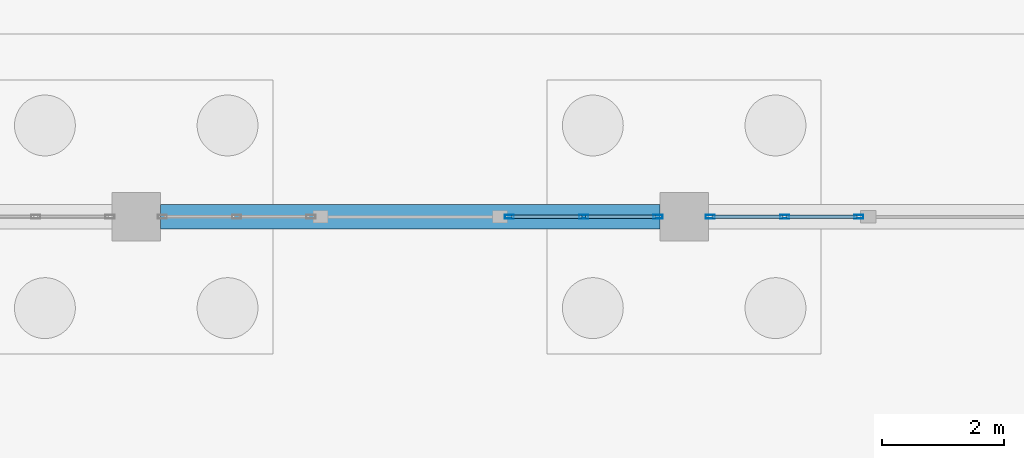
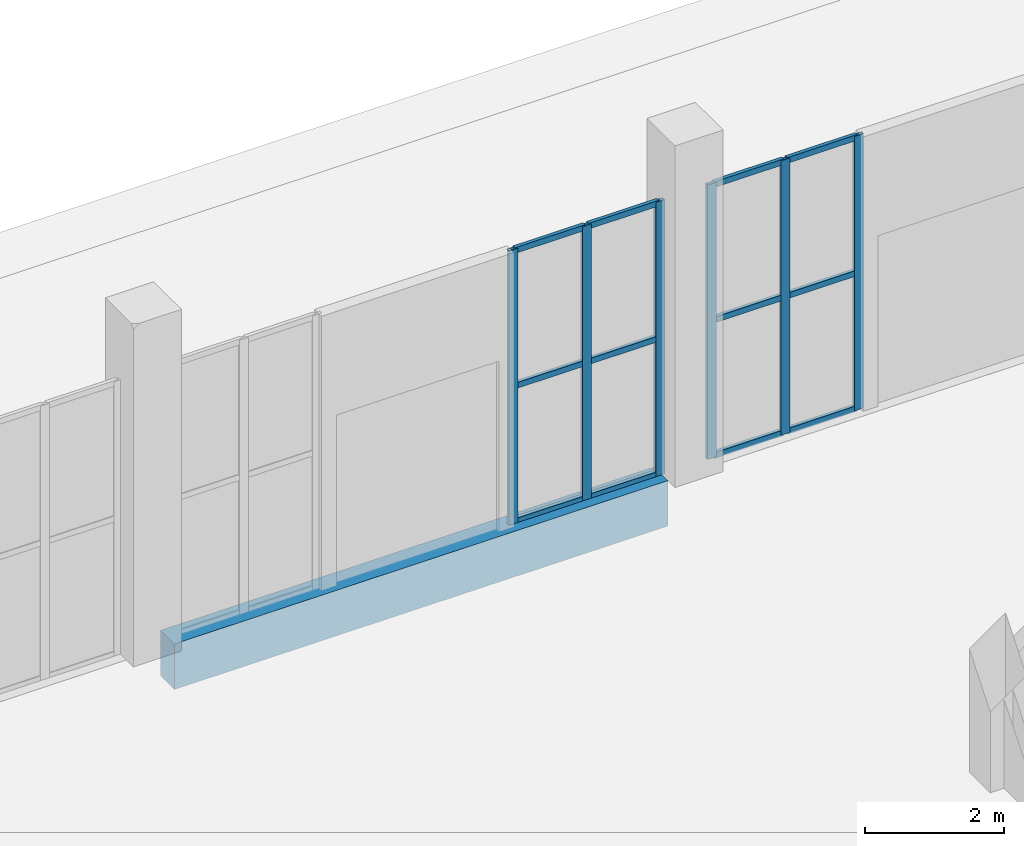
# One storey, part 42 of 198: 18 members, 1 beam, 2 elements without a shape of their own.
"""IFC4 building model written with IfcOpenShell, lengths in metres."""

from ifc_helpers import new_model, si_unit, direction, frame, origin, origin_2d, place, context, subcontext, project, spatial, rectangle, hollow_rectangle, extrude, material, layer, layer_set, material_profile, profile_set, type_object, element, aggregate, save


model = new_model("IFC4")

# Units and contexts
model_context = context("Model", 3, precision=1e-05, world=origin(), true_north=direction((0.0, 1.0)))
body_context = subcontext(model_context, "Body", "Model", "MODEL_VIEW")
ifc_project = project(units=[si_unit("LENGTHUNIT", "METRE"), si_unit("AREAUNIT", "SQUARE_METRE"), si_unit("VOLUMEUNIT", "CUBIC_METRE"), si_unit("PLANEANGLEUNIT", "RADIAN"), si_unit("MASSUNIT", "GRAM", prefix="KILO")], contexts=[model_context])

# Site, building, storey
site_placement = place(None, origin())
site = spatial("IfcSite", under=ifc_project, at=site_placement, CompositionType="ELEMENT")
building_placement = place(site_placement, origin())
building = spatial("IfcBuilding", under=site, at=building_placement, Name="Opaline Strait Convention Centre", CompositionType="ELEMENT")
storey_placement = place(building_placement, origin())
storey = spatial("IfcBuildingStorey", under=building, at=storey_placement, Name="L00", CompositionType="ELEMENT", Elevation=0.0)

# Curtain wall, members
ifc_material_1 = material(Name="Aluminium framed double glazing", Category="aluminium")
ifc_layer = layer(ifc_material_1, 0.199951171875)
ifc_layer_set = layer_set([ifc_layer], Name="Aluminium framed double glazing")
curtain_wall_type = type_object("IfcCurtainWallType", Name="Curtain wall 1250", PredefinedType="NOTDEFINED", material=ifc_layer_set)
curtain_wall_1_placement = place(storey_placement, origin())
curtain_wall_1 = element("IfcCurtainWall", 1, at=curtain_wall_1_placement, inside=storey, type_object=curtain_wall_type, Name="Curtain wall N-45b-L00", PredefinedType="NOTDEFINED")
ifc_material_2 = material(Name="Aluminium alloy 6063", Category="aluminium")
ifc_material_profile_1 = material_profile(ifc_material_2, hollow_rectangle(XDim=0.06005859375, YDim=0.14990234375, WallThickness=0.00390625, at=origin_2d()), Name="MULLION 60x150x4")
ifc_profile_set_1 = profile_set([ifc_material_profile_1], Name="Aluminium alloy 6063")
member_type_1 = type_object("IfcMemberType", Name="Curtain wall mullion 60 x 150", PredefinedType="MULLION", material=ifc_profile_set_1)
member_1_placement = place(storey_placement, frame((51.130126953125, 180.0, 0.0), z_axis=(0.0, 0.0, 1.0), x_axis=(0.0, 1.0, 0.0)))
member_1 = element("IfcMember", 2, at=member_1_placement, type_object=member_type_1, Name="PCW mullion 1", PredefinedType="MULLION", context=body_context, shape_type="SweptSolid", body=[
    extrude(hollow_rectangle(XDim=0.06005859375, YDim=0.14990234375, WallThickness=0.00390625, at=origin_2d()), origin(), (0.0, 0.0, 1.0), 4.820068359375),
])
member_2_placement = place(storey_placement, frame((52.35009765625, 180.0, 0.0), z_axis=(0.0, 0.0, 1.0), x_axis=(0.0, 1.0, 0.0)))
member_2 = element("IfcMember", 3, at=member_2_placement, type_object=member_type_1, Name="PCW mullion 2", PredefinedType="MULLION", context=body_context, shape_type="SweptSolid", body=[
    extrude(hollow_rectangle(XDim=0.06005859375, YDim=0.14990234375, WallThickness=0.00390625, at=origin_2d()), origin(), (0.0, 0.0, 1.0), 4.820068359375),
])
member_3_placement = place(storey_placement, frame((53.570068359375, 180.0, 0.0), z_axis=(0.0, 0.0, 1.0), x_axis=(0.0, 1.0, 0.0)))
member_3 = element("IfcMember", 4, at=member_3_placement, type_object=member_type_1, Name="PCW mullion 3", PredefinedType="MULLION", context=body_context, shape_type="SweptSolid", body=[
    extrude(hollow_rectangle(XDim=0.06005859375, YDim=0.14990234375, WallThickness=0.00390625, at=origin_2d()), origin(), (0.0, 0.0, 1.0), 4.820068359375),
])

curtain_wall_2_placement = place(storey_placement, origin())
curtain_wall_2 = element("IfcCurtainWall", 5, at=curtain_wall_2_placement, inside=storey, type_object=curtain_wall_type, Name="Curtain wall N-54a-L00", PredefinedType="NOTDEFINED")
member_4_placement = place(storey_placement, frame((54.429931640625, 180.0, 0.0), z_axis=(0.0, 0.0, 1.0), x_axis=(0.0, 1.0, 0.0)))
member_4 = element("IfcMember", 6, at=member_4_placement, type_object=member_type_1, Name="PCW mullion 1", PredefinedType="MULLION", context=body_context, shape_type="SweptSolid", body=[
    extrude(hollow_rectangle(XDim=0.06005859375, YDim=0.14990234375, WallThickness=0.00390625, at=origin_2d()), origin(), (0.0, 0.0, 1.0), 4.820068359375),
])
member_5_placement = place(storey_placement, frame((55.64990234375, 180.0, 0.0), z_axis=(0.0, 0.0, 1.0), x_axis=(0.0, 1.0, 0.0)))
member_5 = element("IfcMember", 7, at=member_5_placement, type_object=member_type_1, Name="PCW mullion 2", PredefinedType="MULLION", context=body_context, shape_type="SweptSolid", body=[
    extrude(hollow_rectangle(XDim=0.06005859375, YDim=0.14990234375, WallThickness=0.00390625, at=origin_2d()), origin(), (0.0, 0.0, 1.0), 4.820068359375),
])
member_6_placement = place(storey_placement, frame((56.869873046875, 180.0, 0.0), z_axis=(0.0, 0.0, 1.0), x_axis=(0.0, 1.0, 0.0)))
member_6 = element("IfcMember", 8, at=member_6_placement, type_object=member_type_1, Name="PCW mullion 3", PredefinedType="MULLION", context=body_context, shape_type="SweptSolid", body=[
    extrude(hollow_rectangle(XDim=0.06005859375, YDim=0.14990234375, WallThickness=0.00390625, at=origin_2d()), origin(), (0.0, 0.0, 1.0), 4.820068359375),
])

# Member
ifc_material_profile_2 = material_profile(ifc_material_2, hollow_rectangle(XDim=0.06005859375, YDim=0.10009765625, WallThickness=0.0029296875, at=origin_2d()), Name="TRANSOM 60x100x3")
ifc_profile_set_2 = profile_set([ifc_material_profile_2], Name="Aluminium alloy 6063")
member_type_2 = type_object("IfcMemberType", Name="Curtain wall transom 60 x 100", PredefinedType="USERDEFINED", material=ifc_profile_set_2)
member_7_placement = place(storey_placement, frame((51.16015625, 180.0, 0.030029296875), z_axis=(1.0, 0.0, 0.0), x_axis=(0.0, 1.0, 0.0)))
member_7 = element("IfcMember", 9, at=member_7_placement, type_object=member_type_2, Name="PCW transom 1.1", ObjectType="TRANSOM", PredefinedType="USERDEFINED", context=body_context, shape_type="SweptSolid", body=[
    extrude(hollow_rectangle(XDim=0.06005859375, YDim=0.10009765625, WallThickness=0.0029296875, at=origin_2d()), origin(), (0.0, 0.0, 1.0), 1.159912109375),
])

member_8_placement = place(storey_placement, frame((51.16015625, 180.0, 2.409912109375), z_axis=(1.0, 0.0, 0.0), x_axis=(0.0, 1.0, 0.0)))
member_8 = element("IfcMember", 10, at=member_8_placement, type_object=member_type_2, Name="PCW transom 1.2", ObjectType="TRANSOM", PredefinedType="USERDEFINED", context=body_context, shape_type="SweptSolid", body=[
    extrude(hollow_rectangle(XDim=0.06005859375, YDim=0.10009765625, WallThickness=0.0029296875, at=origin_2d()), origin(), (0.0, 0.0, 1.0), 1.159912109375),
])

member_9_placement = place(storey_placement, frame((51.16015625, 180.0, 4.7900390625), z_axis=(1.0, 0.0, 0.0), x_axis=(0.0, 1.0, 0.0)))
member_9 = element("IfcMember", 11, at=member_9_placement, type_object=member_type_2, Name="PCW transom 1.3", ObjectType="TRANSOM", PredefinedType="USERDEFINED", context=body_context, shape_type="SweptSolid", body=[
    extrude(hollow_rectangle(XDim=0.06005859375, YDim=0.10009765625, WallThickness=0.0029296875, at=origin_2d()), origin(), (0.0, 0.0, 1.0), 1.159912109375),
])

member_10_placement = place(storey_placement, frame((52.380126953125, 180.0, 0.030029296875), z_axis=(1.0, 0.0, 0.0), x_axis=(0.0, 1.0, 0.0)))
member_10 = element("IfcMember", 12, at=member_10_placement, type_object=member_type_2, Name="PCW transom 2.1", ObjectType="TRANSOM", PredefinedType="USERDEFINED", context=body_context, shape_type="SweptSolid", body=[
    extrude(hollow_rectangle(XDim=0.06005859375, YDim=0.10009765625, WallThickness=0.0029296875, at=origin_2d()), origin(), (0.0, 0.0, 1.0), 1.159912109375),
])

member_11_placement = place(storey_placement, frame((52.380126953125, 180.0, 2.409912109375), z_axis=(1.0, 0.0, 0.0), x_axis=(0.0, 1.0, 0.0)))
member_11 = element("IfcMember", 13, at=member_11_placement, type_object=member_type_2, Name="PCW transom 2.2", ObjectType="TRANSOM", PredefinedType="USERDEFINED", context=body_context, shape_type="SweptSolid", body=[
    extrude(hollow_rectangle(XDim=0.06005859375, YDim=0.10009765625, WallThickness=0.0029296875, at=origin_2d()), origin(), (0.0, 0.0, 1.0), 1.159912109375),
])

member_12_placement = place(storey_placement, frame((52.380126953125, 180.0, 4.7900390625), z_axis=(1.0, 0.0, 0.0), x_axis=(0.0, 1.0, 0.0)))
member_12 = element("IfcMember", 14, at=member_12_placement, type_object=member_type_2, Name="PCW transom 2.3", ObjectType="TRANSOM", PredefinedType="USERDEFINED", context=body_context, shape_type="SweptSolid", body=[
    extrude(hollow_rectangle(XDim=0.06005859375, YDim=0.10009765625, WallThickness=0.0029296875, at=origin_2d()), origin(), (0.0, 0.0, 1.0), 1.159912109375),
])

aggregate(curtain_wall_1, [member_1, member_2, member_3, member_7, member_8, member_9, member_10, member_11, member_12])

member_13_placement = place(storey_placement, frame((54.4599609375, 180.0, 0.030029296875), z_axis=(1.0, 0.0, 0.0), x_axis=(0.0, 1.0, 0.0)))
member_13 = element("IfcMember", 15, at=member_13_placement, type_object=member_type_2, Name="PCW transom 1.1", ObjectType="TRANSOM", PredefinedType="USERDEFINED", context=body_context, shape_type="SweptSolid", body=[
    extrude(hollow_rectangle(XDim=0.06005859375, YDim=0.10009765625, WallThickness=0.0029296875, at=origin_2d()), origin(), (0.0, 0.0, 1.0), 1.159912109375),
])

member_14_placement = place(storey_placement, frame((54.4599609375, 180.0, 2.409912109375), z_axis=(1.0, 0.0, 0.0), x_axis=(0.0, 1.0, 0.0)))
member_14 = element("IfcMember", 16, at=member_14_placement, type_object=member_type_2, Name="PCW transom 1.2", ObjectType="TRANSOM", PredefinedType="USERDEFINED", context=body_context, shape_type="SweptSolid", body=[
    extrude(hollow_rectangle(XDim=0.06005859375, YDim=0.10009765625, WallThickness=0.0029296875, at=origin_2d()), origin(), (0.0, 0.0, 1.0), 1.159912109375),
])

member_15_placement = place(storey_placement, frame((54.4599609375, 180.0, 4.7900390625), z_axis=(1.0, 0.0, 0.0), x_axis=(0.0, 1.0, 0.0)))
member_15 = element("IfcMember", 17, at=member_15_placement, type_object=member_type_2, Name="PCW transom 1.3", ObjectType="TRANSOM", PredefinedType="USERDEFINED", context=body_context, shape_type="SweptSolid", body=[
    extrude(hollow_rectangle(XDim=0.06005859375, YDim=0.10009765625, WallThickness=0.0029296875, at=origin_2d()), origin(), (0.0, 0.0, 1.0), 1.159912109375),
])

member_16_placement = place(storey_placement, frame((55.679931640625, 180.0, 0.030029296875), z_axis=(1.0, 0.0, 0.0), x_axis=(0.0, 1.0, 0.0)))
member_16 = element("IfcMember", 18, at=member_16_placement, type_object=member_type_2, Name="PCW transom 2.1", ObjectType="TRANSOM", PredefinedType="USERDEFINED", context=body_context, shape_type="SweptSolid", body=[
    extrude(hollow_rectangle(XDim=0.06005859375, YDim=0.10009765625, WallThickness=0.0029296875, at=origin_2d()), origin(), (0.0, 0.0, 1.0), 1.159912109375),
])

member_17_placement = place(storey_placement, frame((55.679931640625, 180.0, 2.409912109375), z_axis=(1.0, 0.0, 0.0), x_axis=(0.0, 1.0, 0.0)))
member_17 = element("IfcMember", 19, at=member_17_placement, type_object=member_type_2, Name="PCW transom 2.2", ObjectType="TRANSOM", PredefinedType="USERDEFINED", context=body_context, shape_type="SweptSolid", body=[
    extrude(hollow_rectangle(XDim=0.06005859375, YDim=0.10009765625, WallThickness=0.0029296875, at=origin_2d()), origin(), (0.0, 0.0, 1.0), 1.159912109375),
])

member_18_placement = place(storey_placement, frame((55.679931640625, 180.0, 4.7900390625), z_axis=(1.0, 0.0, 0.0), x_axis=(0.0, 1.0, 0.0)))
member_18 = element("IfcMember", 20, at=member_18_placement, type_object=member_type_2, Name="PCW transom 2.3", ObjectType="TRANSOM", PredefinedType="USERDEFINED", context=body_context, shape_type="SweptSolid", body=[
    extrude(hollow_rectangle(XDim=0.06005859375, YDim=0.10009765625, WallThickness=0.0029296875, at=origin_2d()), origin(), (0.0, 0.0, 1.0), 1.159912109375),
])

aggregate(curtain_wall_2, [member_4, member_5, member_6, member_13, member_14, member_15, member_16, member_17, member_18])

# Beam
ifc_material_3 = material(Name="Concrete C35", Category="concrete")
ifc_material_profile_3 = material_profile(ifc_material_3, rectangle(XDim=0.39990234375, YDim=0.800048828125, at=origin_2d()), Name="RC 400x800")
ifc_profile_set_3 = profile_set([ifc_material_profile_3], Name="Concrete C35")
beam_type = type_object("IfcBeamType", Name="RC ground beam 400x800 C35", PredefinedType="BEAM", material=ifc_profile_set_3)
beam_placement = place(storey_placement, frame((45.39990234375, 180.0, -0.39990234375), z_axis=(1.0, 0.0, 0.0), x_axis=(0.0, 1.0, 0.0)))
element("IfcBeam", 21, at=beam_placement, inside=storey, type_object=beam_type, Name="PGB1 ground beam 6/W-7/W", PredefinedType="BEAM", context=body_context, shape_type="SweptSolid", body=[
    extrude(rectangle(XDim=0.39990234375, YDim=0.800048828125, at=origin_2d()), origin(), (0.0, 0.0, 1.0), 8.2001953125),
])

save(model, "model.ifc")
